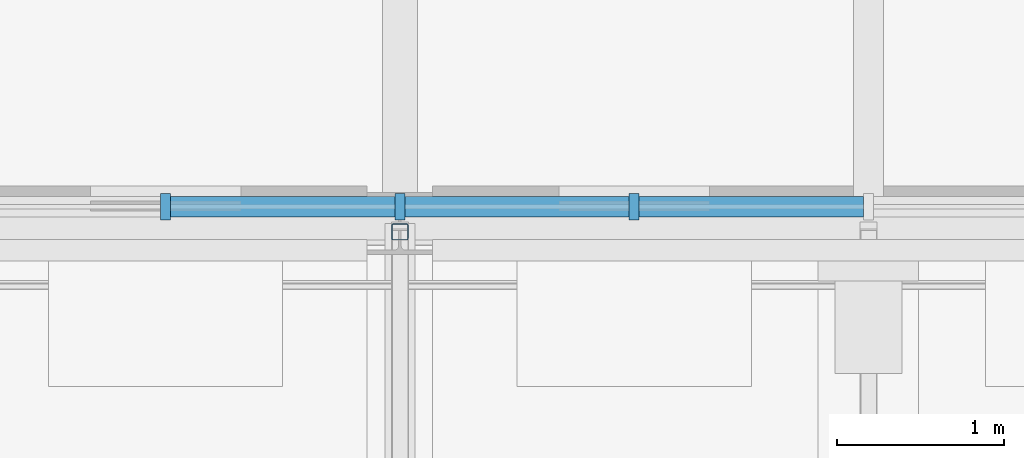
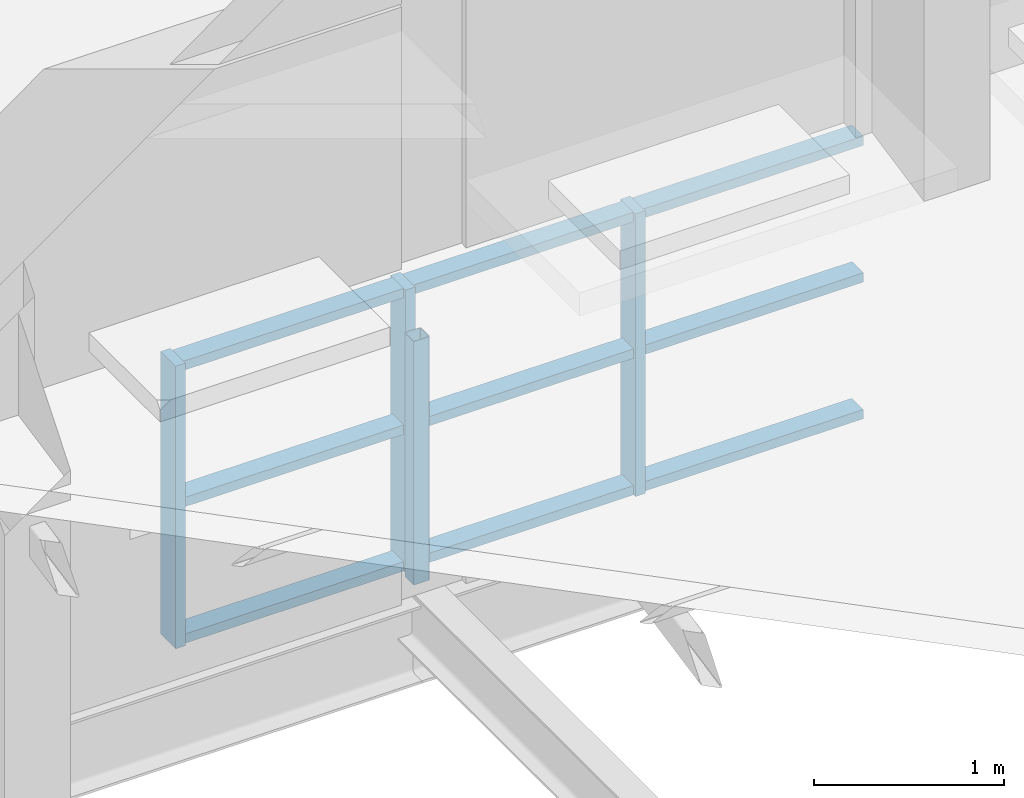
# One storey, part 36 of 121: 13 members, 1 element without a shape of its own.
"""IFC4 building model written with IfcOpenShell, lengths in metres."""

from ifc_helpers import new_model, si_unit, direction, frame, origin, origin_2d, place, context, subcontext, project, spatial, rectangle, hollow_rectangle, extrude, material, layer, layer_set, material_profile, profile_set, type_object, element, aggregate, save


model = new_model("IFC4")

# Units and contexts
model_context = context("Model", 3, precision=1e-05, world=origin(), true_north=direction((0.0, 1.0)))
body_context = subcontext(model_context, "Body", "Model", "MODEL_VIEW")
ifc_project = project(units=[si_unit("LENGTHUNIT", "METRE"), si_unit("AREAUNIT", "SQUARE_METRE"), si_unit("VOLUMEUNIT", "CUBIC_METRE"), si_unit("PLANEANGLEUNIT", "RADIAN"), si_unit("MASSUNIT", "GRAM", prefix="KILO")], contexts=[model_context])

# Site, building, storey
site_placement = place(None, origin())
site = spatial("IfcSite", under=ifc_project, at=site_placement, CompositionType="ELEMENT")
building_placement = place(site_placement, origin())
building = spatial("IfcBuilding", under=site, at=building_placement, Name="Ardhachandra Cancer Care Centre", CompositionType="ELEMENT")
storey_placement = place(building_placement, frame((0.0, 0.0, 9.0)))
storey = spatial("IfcBuildingStorey", under=building, at=storey_placement, Name="L02", CompositionType="ELEMENT", Elevation=9.0)

# Curtain wall, members
ifc_material_1 = material(Name="Aluminium extrusion", Category="aluminium")
ifc_layer = layer(ifc_material_1, 0.14990234375)
ifc_layer_set = layer_set([ifc_layer], Name="Aluminium extrusion")
curtain_wall_type = type_object("IfcCurtainWallType", Name="Curtain wall run", PredefinedType="NOTDEFINED", material=ifc_layer_set)
curtain_wall_placement = place(storey_placement, origin())
curtain_wall = element("IfcCurtainWall", 1, at=curtain_wall_placement, inside=storey, type_object=curtain_wall_type, Name="Curtain wall L02 n/0019200_0071500", PredefinedType="NOTDEFINED")
ifc_material_2 = material(Name="Aluminium extrusion", Category="aluminium")
ifc_material_profile_1 = material_profile(ifc_material_2, rectangle(XDim=0.159912109375, YDim=0.06005859375, at=origin_2d()), Name="Curtain wall mullion 60 x 160")
ifc_profile_set_1 = profile_set([ifc_material_profile_1], Name="Aluminium extrusion")
member_type_1 = type_object("IfcMemberType", Name="Curtain wall mullion 60 x 160", PredefinedType="MULLION", material=ifc_profile_set_1)
member_1_placement = place(storey_placement, frame((26.199951171875, 71.5, 0.0), z_axis=(0.0, 0.0, 1.0), x_axis=(0.0, 1.0, 0.0)))
member_1 = element("IfcMember", 2, at=member_1_placement, type_object=member_type_1, Name="CW mullion 6", PredefinedType="MULLION", context=body_context, shape_type="SweptSolid", body=[
    extrude(rectangle(XDim=0.159912109375, YDim=0.06005859375, at=origin_2d()), origin(), (0.0, 0.0, 1.0), 1.820068359375),
])
member_2_placement = place(storey_placement, frame((27.60009765625, 71.5, 0.0), z_axis=(0.0, 0.0, 1.0), x_axis=(0.0, 1.0, 0.0)))
member_2 = element("IfcMember", 3, at=member_2_placement, type_object=member_type_1, Name="CW mullion 7", PredefinedType="MULLION", context=body_context, shape_type="SweptSolid", body=[
    extrude(rectangle(XDim=0.159912109375, YDim=0.06005859375, at=origin_2d()), origin(), (0.0, 0.0, 1.0), 1.820068359375),
])
member_3_placement = place(storey_placement, frame((29.0, 71.5, 0.0), z_axis=(0.0, 0.0, 1.0), x_axis=(0.0, 1.0, 0.0)))
member_3 = element("IfcMember", 4, at=member_3_placement, type_object=member_type_1, Name="CW mullion 8", PredefinedType="MULLION", context=body_context, shape_type="SweptSolid", body=[
    extrude(rectangle(XDim=0.159912109375, YDim=0.06005859375, at=origin_2d()), origin(), (0.0, 0.0, 1.0), 1.820068359375),
])
ifc_material_3 = material(Name="Aluminium extrusion", Category="aluminium")
ifc_material_profile_2 = material_profile(ifc_material_3, rectangle(XDim=0.1201171875, YDim=0.06005859375, at=origin_2d()), Name="Curtain wall transom 60 x 120")
ifc_profile_set_2 = profile_set([ifc_material_profile_2], Name="Aluminium extrusion")
member_type_2 = type_object("IfcMemberType", Name="Curtain wall transom 60 x 120", PredefinedType="USERDEFINED", material=ifc_profile_set_2)
member_4_placement = place(storey_placement, frame((26.22998046875, 71.5, 0.030029296875), z_axis=(1.0, 0.0, 0.0), x_axis=(0.0, 1.0, 0.0)))
member_4 = element("IfcMember", 5, at=member_4_placement, type_object=member_type_2, Name="CW transom 6.1", ObjectType="TRANSOM", PredefinedType="USERDEFINED", context=body_context, shape_type="SweptSolid", body=[
    extrude(rectangle(XDim=0.1201171875, YDim=0.06005859375, at=origin_2d()), origin(), (0.0, 0.0, 1.0), 1.340087890625),
])
member_5_placement = place(storey_placement, frame((26.22998046875, 71.5, 0.909912109375), z_axis=(1.0, 0.0, 0.0), x_axis=(0.0, 1.0, 0.0)))
member_5 = element("IfcMember", 6, at=member_5_placement, type_object=member_type_2, Name="CW transom 6.2", ObjectType="TRANSOM", PredefinedType="USERDEFINED", context=body_context, shape_type="SweptSolid", body=[
    extrude(rectangle(XDim=0.1201171875, YDim=0.06005859375, at=origin_2d()), origin(), (0.0, 0.0, 1.0), 1.340087890625),
])
member_6_placement = place(storey_placement, frame((26.22998046875, 71.5, 1.7900390625), z_axis=(1.0, 0.0, 0.0), x_axis=(0.0, 1.0, 0.0)))
member_6 = element("IfcMember", 7, at=member_6_placement, type_object=member_type_2, Name="CW transom 6.3", ObjectType="TRANSOM", PredefinedType="USERDEFINED", context=body_context, shape_type="SweptSolid", body=[
    extrude(rectangle(XDim=0.1201171875, YDim=0.06005859375, at=origin_2d()), origin(), (0.0, 0.0, 1.0), 1.340087890625),
])
member_7_placement = place(storey_placement, frame((27.6298828125, 71.5, 0.030029296875), z_axis=(1.0, 0.0, 0.0), x_axis=(0.0, 1.0, 0.0)))
member_7 = element("IfcMember", 8, at=member_7_placement, type_object=member_type_2, Name="CW transom 7.1", ObjectType="TRANSOM", PredefinedType="USERDEFINED", context=body_context, shape_type="SweptSolid", body=[
    extrude(rectangle(XDim=0.1201171875, YDim=0.06005859375, at=origin_2d()), origin(), (0.0, 0.0, 1.0), 1.340087890625),
])
member_8_placement = place(storey_placement, frame((27.6298828125, 71.5, 0.909912109375), z_axis=(1.0, 0.0, 0.0), x_axis=(0.0, 1.0, 0.0)))
member_8 = element("IfcMember", 9, at=member_8_placement, type_object=member_type_2, Name="CW transom 7.2", ObjectType="TRANSOM", PredefinedType="USERDEFINED", context=body_context, shape_type="SweptSolid", body=[
    extrude(rectangle(XDim=0.1201171875, YDim=0.06005859375, at=origin_2d()), origin(), (0.0, 0.0, 1.0), 1.340087890625),
])
member_9_placement = place(storey_placement, frame((27.6298828125, 71.5, 1.7900390625), z_axis=(1.0, 0.0, 0.0), x_axis=(0.0, 1.0, 0.0)))
member_9 = element("IfcMember", 10, at=member_9_placement, type_object=member_type_2, Name="CW transom 7.3", ObjectType="TRANSOM", PredefinedType="USERDEFINED", context=body_context, shape_type="SweptSolid", body=[
    extrude(rectangle(XDim=0.1201171875, YDim=0.06005859375, at=origin_2d()), origin(), (0.0, 0.0, 1.0), 1.340087890625),
])
member_10_placement = place(storey_placement, frame((29.030029296875, 71.5, 0.030029296875), z_axis=(1.0, 0.0, 0.0), x_axis=(0.0, 1.0, 0.0)))
member_10 = element("IfcMember", 11, at=member_10_placement, type_object=member_type_2, Name="CW transom 8.1", ObjectType="TRANSOM", PredefinedType="USERDEFINED", context=body_context, shape_type="SweptSolid", body=[
    extrude(rectangle(XDim=0.1201171875, YDim=0.06005859375, at=origin_2d()), origin(), (0.0, 0.0, 1.0), 1.340087890625),
])
member_11_placement = place(storey_placement, frame((29.030029296875, 71.5, 0.909912109375), z_axis=(1.0, 0.0, 0.0), x_axis=(0.0, 1.0, 0.0)))
member_11 = element("IfcMember", 12, at=member_11_placement, type_object=member_type_2, Name="CW transom 8.2", ObjectType="TRANSOM", PredefinedType="USERDEFINED", context=body_context, shape_type="SweptSolid", body=[
    extrude(rectangle(XDim=0.1201171875, YDim=0.06005859375, at=origin_2d()), origin(), (0.0, 0.0, 1.0), 1.340087890625),
])
member_12_placement = place(storey_placement, frame((29.030029296875, 71.5, 1.7900390625), z_axis=(1.0, 0.0, 0.0), x_axis=(0.0, 1.0, 0.0)))
member_12 = element("IfcMember", 13, at=member_12_placement, type_object=member_type_2, Name="CW transom 8.3", ObjectType="TRANSOM", PredefinedType="USERDEFINED", context=body_context, shape_type="SweptSolid", body=[
    extrude(rectangle(XDim=0.1201171875, YDim=0.06005859375, at=origin_2d()), origin(), (0.0, 0.0, 1.0), 1.340087890625),
])
aggregate(curtain_wall, [member_1, member_2, member_3, member_4, member_5, member_6, member_7, member_8, member_9, member_10, member_11, member_12])

# Member
ifc_material_4 = material(Name="Steel E350 (IS 2062)", Category="steel")
ifc_material_profile_3 = material_profile(ifc_material_4, hollow_rectangle(XDim=0.10009765625, YDim=0.10009765625, WallThickness=0.0048828125, InnerFilletRadius=0.0048828125, OuterFilletRadius=0.010009765625, at=origin_2d()), Name="SHS 100x100x5.0")
ifc_profile_set_3 = profile_set([ifc_material_profile_3], Name="Steel E350 (IS 2062)")
member_type_3 = type_object("IfcMemberType", Name="Sawtooth ridge post SHS 100x100x5.0", PredefinedType="POST", material=ifc_profile_set_3)
member_13_placement = place(storey_placement, frame((27.60009765625, 71.35009765625, 0.0), z_axis=(0.0, 0.0, 1.0), x_axis=(1.0, 0.0, 0.0)))
element("IfcMember", 14, at=member_13_placement, inside=storey, type_object=member_type_3, Name="Ridge post T5a.2", PredefinedType="POST", context=body_context, shape_type="SweptSolid", body=[
    extrude(hollow_rectangle(XDim=0.10009765625, YDim=0.10009765625, WallThickness=0.0048828125, InnerFilletRadius=0.0048828125, OuterFilletRadius=0.010009765625, at=origin_2d()), origin(), (0.0, 0.0, 1.0), 1.5673828125),
])

save(model, "model.ifc")
